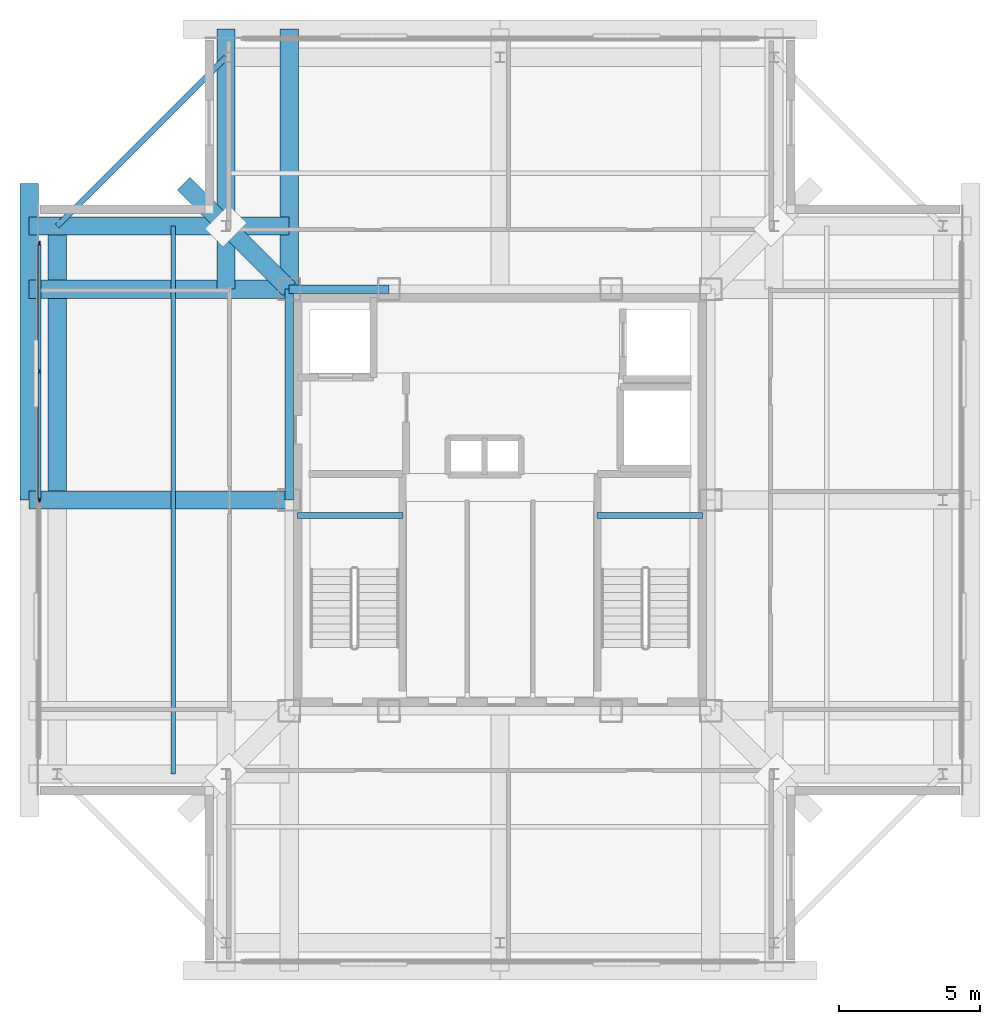
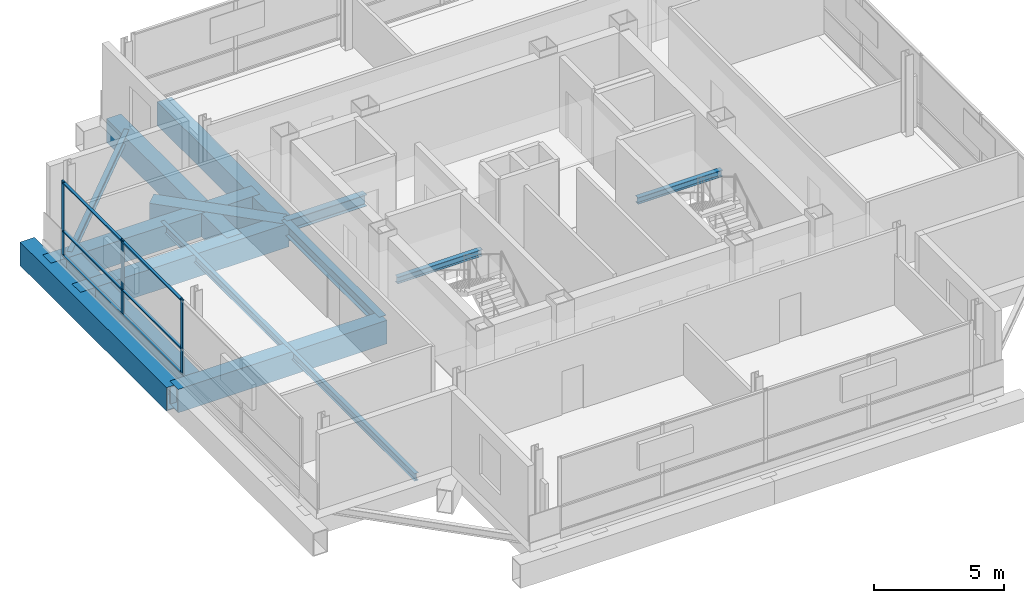
# One storey, part 4 of 12: 14 beams, 9 members, 1 element without a shape of its own.
"""IFC4 building model written with IfcOpenShell, lengths in metres."""

from ifc_helpers import new_model, si_unit, direction, frame, origin, origin_2d, place, context, subcontext, project, spatial, rectangle, hollow_rectangle, i_section, extrude, material, layer, layer_set, material_profile, profile_set, type_object, element, aggregate, save


model = new_model("IFC4")

# Units and contexts
model_context = context("Model", 3, precision=1e-05, world=origin(), true_north=direction((0.0, 1.0)))
body_context = subcontext(model_context, "Body", "Model", "MODEL_VIEW")
ifc_project = project(units=[si_unit("LENGTHUNIT", "METRE"), si_unit("AREAUNIT", "SQUARE_METRE"), si_unit("VOLUMEUNIT", "CUBIC_METRE"), si_unit("PLANEANGLEUNIT", "RADIAN"), si_unit("MASSUNIT", "GRAM", prefix="KILO")], contexts=[model_context])

# Site, building, storey
site_placement = place(None, origin())
site = spatial("IfcSite", under=ifc_project, at=site_placement, CompositionType="ELEMENT")
building_placement = place(site_placement, origin())
building = spatial("IfcBuilding", under=site, at=building_placement, Name="Trevonay Congress Spire", CompositionType="ELEMENT")
storey_placement = place(building_placement, frame((0.0, 0.0, 308.39990234375)))
storey = spatial("IfcBuildingStorey", under=building, at=storey_placement, Name="L81", CompositionType="ELEMENT", Elevation=308.39990234375)

# Beams
ifc_material_1 = material(Name="Steel ASTM A572 Grade 50", Category="steel")
ifc_material_profile_1 = material_profile(ifc_material_1, i_section(OverallWidth=0.31201171875, OverallDepth=0.54296875, WebThickness=0.0126953125, FlangeThickness=0.020263671875, FilletRadius=0.014892578125, at=origin_2d()), Name="W530x150")
ifc_profile_set_1 = profile_set([ifc_material_profile_1], Name="Steel ASTM A572 Grade 50")
beam_type_1 = type_object("IfcBeamType", Name="BM-GIRD-W530X150", PredefinedType="BEAM", material=ifc_profile_set_1)
beam_1_placement = place(storey_placement, frame((-7.5, 7.5, -0.67138671875), z_axis=(1.0, 0.0, 0.0), x_axis=(0.0, 1.0, 0.0)))
element("IfcBeam", 1, at=beam_1_placement, inside=storey, type_object=beam_type_1, Name="L81 structural beam BM-L81-CR-N1", PredefinedType="BEAM", context=body_context, shape_type="SweptSolid", body=[
    extrude(i_section(OverallWidth=0.31201171875, OverallDepth=0.54296875, WebThickness=0.0126953125, FlangeThickness=0.020263671875, FilletRadius=0.014892578125, at=origin_2d()), origin(), (0.0, 0.0, 1.0), 3.550048828125),
])
beam_2_placement = place(storey_placement, frame((-7.5, 0.0, -0.67138671875), z_axis=(0.0, 1.0, 0.0), x_axis=(-1.0, 0.0, 0.0)))
element("IfcBeam", 2, at=beam_2_placement, inside=storey, type_object=beam_type_1, Name="L81 structural beam BM-L81-CR-W2", PredefinedType="BEAM", context=body_context, shape_type="SweptSolid", body=[
    extrude(i_section(OverallWidth=0.31201171875, OverallDepth=0.54296875, WebThickness=0.0126953125, FlangeThickness=0.020263671875, FilletRadius=0.014892578125, at=origin_2d()), origin(), (0.0, 0.0, 1.0), 7.5),
])
ifc_material_profile_2 = material_profile(ifc_material_1, hollow_rectangle(XDim=0.64990234375, YDim=1.10009765625, WallThickness=0.044921875, at=origin_2d()), Name="BOX 1100x650x45")
ifc_profile_set_2 = profile_set([ifc_material_profile_2], Name="Steel ASTM A572 Grade 50")
beam_type_2 = type_object("IfcBeamType", Name="BM-RING-BOX1100", PredefinedType="BEAM", material=ifc_profile_set_2)
beam_3_placement = place(storey_placement, frame((-15.75, 0.0, -0.949951171875), z_axis=(0.0, 1.0, 0.0), x_axis=(-1.0, 0.0, 0.0)))
element("IfcBeam", 3, at=beam_3_placement, inside=storey, type_object=beam_type_2, Name="L81 structural beam BM-L81-PW2", PredefinedType="BEAM", context=body_context, shape_type="SweptSolid", body=[
    extrude(hollow_rectangle(XDim=0.64990234375, YDim=1.10009765625, WallThickness=0.044921875, at=origin_2d()), origin(), (0.0, 0.0, 1.0), 9.75),
])
beam_4_placement = place(storey_placement, frame((-16.75, 0.0, -0.949951171875), z_axis=(0.0, 1.0, 0.0), x_axis=(-1.0, 0.0, 0.0)))
element("IfcBeam", 4, at=beam_4_placement, inside=storey, type_object=beam_type_2, Name="L81 structural beam XOUT-L81-W1", PredefinedType="BEAM", context=body_context, shape_type="SweptSolid", body=[
    extrude(hollow_rectangle(XDim=0.64990234375, YDim=1.10009765625, WallThickness=0.044921875, at=origin_2d()), origin(), (0.0, 0.0, 1.0), 11.25),
])
ifc_material_profile_3 = material_profile(ifc_material_1, hollow_rectangle(XDim=0.64990234375, YDim=1.10009765625, WallThickness=0.044921875, at=origin_2d()), Name="BOX 1100x650x45")
ifc_profile_set_3 = profile_set([ifc_material_profile_3], Name="Steel ASTM A572 Grade 50")
beam_type_3 = type_object("IfcBeamType", Name="BM-XFER-BOX1100", PredefinedType="BEAM", material=ifc_profile_set_3)
beam_5_placement = place(storey_placement, frame((-7.5, 7.5, -0.949951171875), z_axis=(-0.707106781187, 0.707106781187, 0.0), x_axis=(-0.707106781187, -0.707106781187, 0.0)))
element("IfcBeam", 5, at=beam_5_placement, inside=storey, type_object=beam_type_3, Name="L81 structural beam BM-L81-CDNW", PredefinedType="BEAM", context=body_context, shape_type="SweptSolid", body=[
    extrude(hollow_rectangle(XDim=0.64990234375, YDim=1.10009765625, WallThickness=0.044921875, at=origin_2d()), origin(), (0.0, 0.0, 1.0), 5.30322265625),
])
for number, where, z_axis, x_axis, name in (
    (6, (-7.5, 7.5, -0.949951171875), (-1.0, 0.0, 0.0), (0.0, -1.0, 0.0), "L81 structural beam XSPN-L81-CX-NW"),
    (7, (-7.5, 7.5, -0.949951171875), (0.0, 1.0, 0.0), (-1.0, 0.0, 0.0), "L81 structural beam XSPN-L81-CY-NW"),
    (8, (-9.75, 7.5, -0.949951171875), (0.0, 1.0, 0.0), (-1.0, 0.0, 0.0), "L81 structural beam XFER-L81-N0"),
    (9, (-7.5, 0.0, -0.949951171875), (-1.0, 0.0, 0.0), (0.0, -1.0, 0.0), "L81 structural beam XFER-L81-W1"),
    (10, (-7.5, 9.75, -0.949951171875), (-1.0, 0.0, 0.0), (0.0, -1.0, 0.0), "L81 structural beam XFER-L81-W2"),
):
    element("IfcBeam", number, at=place(storey_placement, frame(where, z_axis=z_axis, x_axis=x_axis)), inside=storey, type_object=beam_type_3, Name=name, PredefinedType="BEAM", context=body_context, shape_type="SweptSolid", body=[
        extrude(hollow_rectangle(XDim=0.64990234375, YDim=1.10009765625, WallThickness=0.044921875, at=origin_2d()), origin(), (0.0, 0.0, 1.0), 9.25),
    ])

# Curtain wall, members
ifc_material_2 = material(Name="Pale Anodised Aluminium EN AW-6063-T6", Category="aluminium")
ifc_layer = layer(ifc_material_2, 0.159912109375, Name="Pale Anodised Aluminium EN AW-6063-T6")
ifc_layer_set = layer_set([ifc_layer], Name="Pale Anodised Aluminium EN AW-6063-T6")
curtain_wall_type = type_object("IfcCurtainWallType", Name="CW-SYS06-CROWN-PALE-METAL", PredefinedType="NOTDEFINED", material=ifc_layer_set)
curtain_wall_placement = place(storey_placement, origin())
curtain_wall = element("IfcCurtainWall", 11, at=curtain_wall_placement, inside=storey, type_object=curtain_wall_type, Name="L81 W unitised curtain wall", PredefinedType="NOTDEFINED")
ifc_material_profile_4 = material_profile(ifc_material_2, rectangle(XDim=0.06005859375, YDim=0.159912109375, at=origin_2d()), Name="CW-MULLION-160-ALUMINIUM")
ifc_profile_set_4 = profile_set([ifc_material_profile_4], Name="Pale Anodised Aluminium EN AW-6063-T6")
member_type_1 = type_object("IfcMemberType", Name="CW-MULLION-160-ALUMINIUM", PredefinedType="MULLION", material=ifc_profile_set_4)
member_1_placement = place(storey_placement, frame((-16.3798828125, 0.0, 0.0), z_axis=(0.0, 0.0, 1.0), x_axis=(-1.0, 0.0, 0.0)))
member_1 = element("IfcMember", 12, at=member_1_placement, type_object=member_type_1, Name="CW06 mullion 3", PredefinedType="MULLION", context=body_context, shape_type="SweptSolid", body=[
    extrude(rectangle(XDim=0.06005859375, YDim=0.159912109375, at=origin_2d()), origin(), (0.0, 0.0, 1.0), 3.52001953125),
])
member_2_placement = place(storey_placement, frame((-16.3798828125, 4.574951171875, 0.0), z_axis=(0.0, 0.0, 1.0), x_axis=(-1.0, 0.0, 0.0)))
member_2 = element("IfcMember", 13, at=member_2_placement, type_object=member_type_1, Name="CW06 mullion 4", PredefinedType="MULLION", context=body_context, shape_type="SweptSolid", body=[
    extrude(rectangle(XDim=0.06005859375, YDim=0.159912109375, at=origin_2d()), origin(), (0.0, 0.0, 1.0), 3.52001953125),
])
member_3_placement = place(storey_placement, frame((-16.3798828125, 9.1201171875, 0.0), z_axis=(0.0, 0.0, 1.0), x_axis=(-1.0, 0.0, 0.0)))
member_3 = element("IfcMember", 14, at=member_3_placement, type_object=member_type_1, Name="CW06 mullion 5", PredefinedType="MULLION", context=body_context, shape_type="SweptSolid", body=[
    extrude(rectangle(XDim=0.06005859375, YDim=0.159912109375, at=origin_2d()), origin(), (0.0, 0.0, 1.0), 3.52001953125),
])
ifc_material_profile_5 = material_profile(ifc_material_2, rectangle(XDim=0.1201171875, YDim=0.06005859375, at=origin_2d()), Name="CW-TRANSOM-120-ALUMINIUM")
ifc_profile_set_5 = profile_set([ifc_material_profile_5], Name="Pale Anodised Aluminium EN AW-6063-T6")
member_type_2 = type_object("IfcMemberType", Name="CW-TRANSOM-120-ALUMINIUM", PredefinedType="USERDEFINED", material=ifc_profile_set_5)
member_4_placement = place(storey_placement, frame((-16.3798828125, 0.030029296875, 0.06005859375), z_axis=(0.0, 1.0, 0.0), x_axis=(-1.0, 0.0, 0.0)))
member_4 = element("IfcMember", 15, at=member_4_placement, type_object=member_type_2, Name="CW06 transom 3.1", ObjectType="TRANSOM", PredefinedType="USERDEFINED", context=body_context, shape_type="SweptSolid", body=[
    extrude(rectangle(XDim=0.1201171875, YDim=0.06005859375, at=origin_2d()), origin(), (0.0, 0.0, 1.0), 4.514892578125),
])
member_5_placement = place(storey_placement, frame((-16.3798828125, 0.030029296875, 1.19677734375), z_axis=(0.0, 1.0, 0.0), x_axis=(-1.0, 0.0, 0.0)))
member_5 = element("IfcMember", 16, at=member_5_placement, type_object=member_type_2, Name="CW06 transom 3.2", ObjectType="TRANSOM", PredefinedType="USERDEFINED", context=body_context, shape_type="SweptSolid", body=[
    extrude(rectangle(XDim=0.1201171875, YDim=0.06005859375, at=origin_2d()), origin(), (0.0, 0.0, 1.0), 4.514892578125),
])
member_6_placement = place(storey_placement, frame((-16.3798828125, 0.030029296875, 3.460205078125), z_axis=(0.0, 1.0, 0.0), x_axis=(-1.0, 0.0, 0.0)))
member_6 = element("IfcMember", 17, at=member_6_placement, type_object=member_type_2, Name="CW06 transom 3.3", ObjectType="TRANSOM", PredefinedType="USERDEFINED", context=body_context, shape_type="SweptSolid", body=[
    extrude(rectangle(XDim=0.1201171875, YDim=0.06005859375, at=origin_2d()), origin(), (0.0, 0.0, 1.0), 4.514892578125),
])
member_7_placement = place(storey_placement, frame((-16.3798828125, 4.60498046875, 0.06005859375), z_axis=(0.0, 1.0, 0.0), x_axis=(-1.0, 0.0, 0.0)))
member_7 = element("IfcMember", 18, at=member_7_placement, type_object=member_type_2, Name="CW06 transom 4.1", ObjectType="TRANSOM", PredefinedType="USERDEFINED", context=body_context, shape_type="SweptSolid", body=[
    extrude(rectangle(XDim=0.1201171875, YDim=0.06005859375, at=origin_2d()), origin(), (0.0, 0.0, 1.0), 4.485107421875),
])
member_8_placement = place(storey_placement, frame((-16.3798828125, 4.60498046875, 1.19677734375), z_axis=(0.0, 1.0, 0.0), x_axis=(-1.0, 0.0, 0.0)))
member_8 = element("IfcMember", 19, at=member_8_placement, type_object=member_type_2, Name="CW06 transom 4.2", ObjectType="TRANSOM", PredefinedType="USERDEFINED", context=body_context, shape_type="SweptSolid", body=[
    extrude(rectangle(XDim=0.1201171875, YDim=0.06005859375, at=origin_2d()), origin(), (0.0, 0.0, 1.0), 4.485107421875),
])
member_9_placement = place(storey_placement, frame((-16.3798828125, 4.60498046875, 3.460205078125), z_axis=(0.0, 1.0, 0.0), x_axis=(-1.0, 0.0, 0.0)))
member_9 = element("IfcMember", 20, at=member_9_placement, type_object=member_type_2, Name="CW06 transom 4.3", ObjectType="TRANSOM", PredefinedType="USERDEFINED", context=body_context, shape_type="SweptSolid", body=[
    extrude(rectangle(XDim=0.1201171875, YDim=0.06005859375, at=origin_2d()), origin(), (0.0, 0.0, 1.0), 4.485107421875),
])
aggregate(curtain_wall, [member_1, member_2, member_3, member_4, member_5, member_6, member_7, member_8, member_9])

# Beams
ifc_material_profile_6 = material_profile(ifc_material_1, i_section(OverallWidth=0.172119140625, OverallDepth=0.35791015625, WebThickness=0.0078125, FlangeThickness=0.01318359375, FilletRadius=0.011962890625, at=origin_2d()), Name="W360x57.8")
ifc_profile_set_6 = profile_set([ifc_material_profile_6], Name="Steel ASTM A572 Grade 50")
beam_type_4 = type_object("IfcBeamType", Name="JS-COMP-W360X57", PredefinedType="JOIST", material=ifc_profile_set_6)
beam_6_placement = place(storey_placement, frame((-11.625, -9.75, -0.578857421875), z_axis=(0.0, 1.0, 0.0), x_axis=(-1.0, 0.0, 0.0)))
element("IfcBeam", 21, at=beam_6_placement, inside=storey, type_object=beam_type_4, Name="L81 structural beam JS-L81-RING-W", PredefinedType="JOIST", context=body_context, shape_type="SweptSolid", body=[
    extrude(i_section(OverallWidth=0.172119140625, OverallDepth=0.35791015625, WebThickness=0.0078125, FlangeThickness=0.01318359375, FilletRadius=0.011962890625, at=origin_2d()), origin(), (0.0, 0.0, 1.0), 19.5),
])
ifc_material_profile_7 = material_profile(ifc_material_1, i_section(OverallWidth=0.2041015625, OverallDepth=0.305908203125, WebThickness=0.008544921875, FlangeThickness=0.0146484375, FilletRadius=0.010986328125, at=origin_2d()), Name="W310x67")
ifc_profile_set_7 = profile_set([ifc_material_profile_7], Name="Steel ASTM A572 Grade 50")
beam_type_5 = type_object("IfcBeamType", Name="LN-CORE-W310X67", PredefinedType="LINTEL", material=ifc_profile_set_7)
for number, where, z_axis, x_axis, name in (
    (22, (-7.199951171875, -0.550048828125, 1.547119140625), (1.0, 0.0, 0.0), (0.0, 1.0, 0.0), "L81 structural beam BM-L81-HL-ST1"),
    (23, (3.449951171875, -0.550048828125, 1.547119140625), (1.0, 0.0, 0.0), (0.0, 1.0, 0.0), "L81 structural beam BM-L81-HL-ST2"),
):
    element("IfcBeam", number, at=place(storey_placement, frame(where, z_axis=z_axis, x_axis=x_axis)), inside=storey, type_object=beam_type_5, Name=name, PredefinedType="LINTEL", context=body_context, shape_type="SweptSolid", body=[
        extrude(i_section(OverallWidth=0.2041015625, OverallDepth=0.305908203125, WebThickness=0.008544921875, FlangeThickness=0.0146484375, FilletRadius=0.010986328125, at=origin_2d()), origin(), (0.0, 0.0, 1.0), 3.75),
    ])
ifc_material_profile_8 = material_profile(ifc_material_1, i_section(OverallWidth=0.205078125, OverallDepth=0.35400390625, WebThickness=0.009521484375, FlangeThickness=0.016845703125, FilletRadius=0.011962890625, at=origin_2d()), Name="W360x79")
ifc_profile_set_8 = profile_set([ifc_material_profile_8], Name="Steel ASTM A572 Grade 50")
beam_type_6 = type_object("IfcBeamType", Name="SPB-HSS350", PredefinedType="SPANDREL", material=ifc_profile_set_8)
beam_7_placement = place(storey_placement, frame((-9.75, 15.75, -0.576904296875), z_axis=(-0.707106781187, -0.707106781187, 0.0), x_axis=(0.707106781187, -0.707106781187, 0.0)))
element("IfcBeam", 24, at=beam_7_placement, inside=storey, type_object=beam_type_6, Name="L81 structural beam SPB-L81-NW", PredefinedType="SPANDREL", context=body_context, shape_type="SweptSolid", body=[
    extrude(i_section(OverallWidth=0.205078125, OverallDepth=0.35400390625, WebThickness=0.009521484375, FlangeThickness=0.016845703125, FilletRadius=0.011962890625, at=origin_2d()), origin(), (0.0, 0.0, 1.0), 8.4853515625),
])

save(model, "model.ifc")
